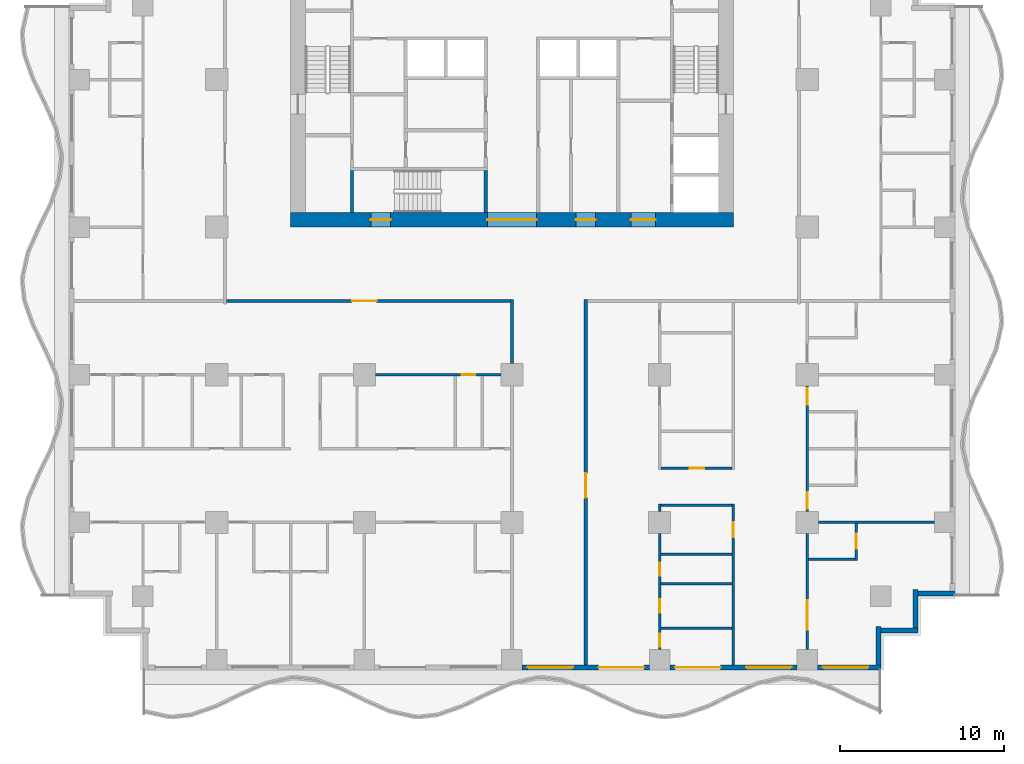
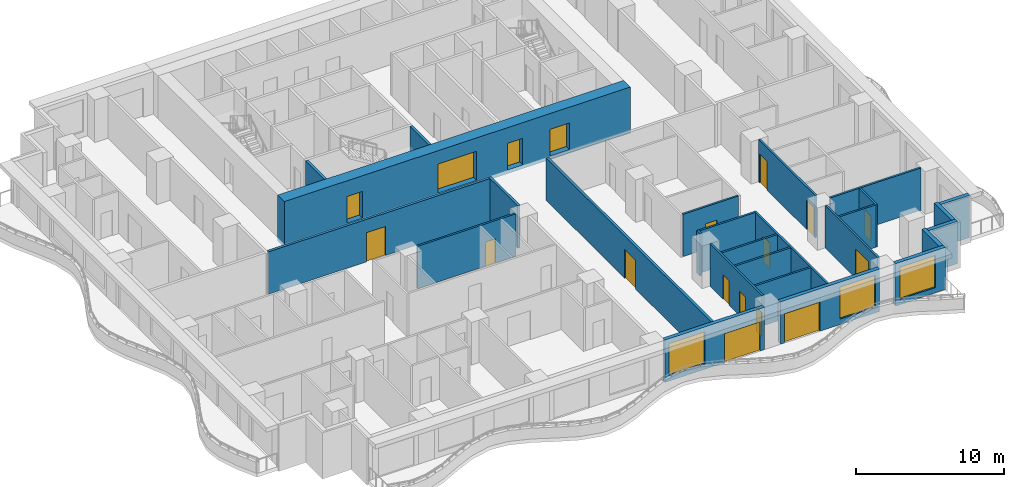
# One storey, part 3 of 14: 27 walls, 18 doors, 3 windows, 21 openings.
"""IFC4 building model written with IfcOpenShell, lengths in metres."""

from ifc_helpers import new_model, si_unit, direction, frame, frame_2d, origin, place, context, subcontext, project, spatial, rectangle, extrude, material, layer, layer_set, type_object, element, fill, save


model = new_model("IFC4")

# Units and contexts
model_context = context("Model", 3, precision=1e-05, world=origin(), true_north=direction((0.0, 1.0)))
body_context = subcontext(model_context, "Body", "Model", "MODEL_VIEW")
ifc_project = project(units=[si_unit("LENGTHUNIT", "METRE"), si_unit("AREAUNIT", "SQUARE_METRE"), si_unit("VOLUMEUNIT", "CUBIC_METRE"), si_unit("PLANEANGLEUNIT", "RADIAN"), si_unit("MASSUNIT", "GRAM", prefix="KILO")], contexts=[model_context])

# Site, building, storey
site_placement = place(None, origin())
site = spatial("IfcSite", under=ifc_project, at=site_placement, CompositionType="ELEMENT")
building_placement = place(site_placement, origin())
building = spatial("IfcBuilding", under=site, at=building_placement, Name="Orbiselva Terraces", CompositionType="ELEMENT")
storey_placement = place(building_placement, frame((0.0, 0.0, 111.2)))
storey = spatial("IfcBuildingStorey", under=building, at=storey_placement, Name="L28", CompositionType="ELEMENT", Elevation=111.2)

# Wall, openings, doors
ifc_material_1 = material(Name="Concrete C80/95", Category="concrete")
ifc_layer_1 = layer(ifc_material_1, 0.9)
ifc_layer_set_1 = layer_set([ifc_layer_1], Name="Concrete C80/95")
wall_type_1 = type_object("IfcWallType", Name="CORE WALL 900", PredefinedType="SHEAR", material=ifc_layer_set_1)
wall_1_placement = place(storey_placement, frame((-13.5, 4.95, -0.3), z_axis=(0.0, 0.0, 1.0), x_axis=(1.0, 0.0, 0.0)))
wall_1 = element("IfcWall", 1, at=wall_1_placement, inside=storey, type_object=wall_type_1, Name="Core wall L28 south", PredefinedType="SHEAR", context=body_context, shape_type="SweptSolid", body=[
    extrude(rectangle(XDim=27.0, YDim=0.9, at=frame_2d((13.5, 0.0))), origin(), (0.0, 0.0, 1.0), 3.8),
])
opening_1_placement = place(wall_1_placement, frame((12.0, 0.0, 0.3)))
opening_1 = element("IfcOpeningElement", 2, at=opening_1_placement, cuts=wall_1, Name="Opening DL3000", PredefinedType="OPENING", context=body_context, shape_type="SweptSolid", body=[
    extrude(rectangle(XDim=3.0, YDim=2.4, at=frame_2d((1.5, 1.2))), frame((0.0, 0.46, 0.0), z_axis=(0.0, -1.0, 0.0), x_axis=(1.0, 0.0, 0.0)), (0.0, 0.0, 1.0), 0.92),
])
opening_2_placement = place(wall_1_placement, frame((4.9, 0.0, 0.3)))
opening_2 = element("IfcOpeningElement", 3, at=opening_2_placement, cuts=wall_1, Name="Opening DS1200", PredefinedType="OPENING", context=body_context, shape_type="SweptSolid", body=[
    extrude(rectangle(XDim=1.2, YDim=2.2, at=frame_2d((0.6, 1.1))), frame((0.0, 0.46, 0.0), z_axis=(0.0, -1.0, 0.0), x_axis=(1.0, 0.0, 0.0)), (0.0, 0.0, 1.0), 0.92),
])
opening_3_placement = place(wall_1_placement, frame((20.75, 0.0, 0.3)))
opening_3 = element("IfcOpeningElement", 4, at=opening_3_placement, cuts=wall_1, Name="Opening DF1500", PredefinedType="OPENING", context=body_context, shape_type="SweptSolid", body=[
    extrude(rectangle(XDim=1.5, YDim=2.2, at=frame_2d((0.75, 1.1))), frame((0.0, 0.46, 0.0), z_axis=(0.0, -1.0, 0.0), x_axis=(1.0, 0.0, 0.0)), (0.0, 0.0, 1.0), 0.92),
])
opening_4_placement = place(wall_1_placement, frame((17.4, 0.0, 0.3)))
opening_4 = element("IfcOpeningElement", 5, at=opening_4_placement, cuts=wall_1, Name="Opening DV1200", PredefinedType="OPENING", context=body_context, shape_type="SweptSolid", body=[
    extrude(rectangle(XDim=1.2, YDim=2.2, at=frame_2d((0.6, 1.1))), frame((0.0, 0.46, 0.0), z_axis=(0.0, -1.0, 0.0), x_axis=(1.0, 0.0, 0.0)), (0.0, 0.0, 1.0), 0.92),
])
ifc_material_2 = material(Name="Steel fire door", Category="steel")
door_type_1 = type_object("IfcDoorType", Name="FFL DOOR 1500", OperationType="DOUBLE_DOOR_SINGLE_SWING", PredefinedType="DOOR", material=ifc_material_2)
door_1_placement = place(opening_3_placement, frame((1.5, 0.0, 0.0), z_axis=(0.0, 0.0, 1.0), x_axis=(-1.0, 0.0, 0.0)))
door_1 = element("IfcDoor", 6, at=door_1_placement, inside=storey, type_object=door_type_1, Name="L28 FIRE-FIGHTING LOBBY door", OperationType="DOUBLE_DOOR_SINGLE_SWING", OverallHeight=2.2, OverallWidth=1.5, PredefinedType="DOOR", context=body_context, shape_type="SweptSolid", body=[
    extrude(rectangle(XDim=1.5, YDim=2.2, at=frame_2d((0.75, 1.1))), frame((0.0, 0.025, 0.0), z_axis=(0.0, -1.0, 0.0), x_axis=(1.0, 0.0, 0.0)), (0.0, 0.0, 1.0), 0.05),
])
fill(opening_3, door_1)
door_type_2 = type_object("IfcDoorType", Name="LOBBY DOOR 3000", OperationType="DOUBLE_DOOR_SINGLE_SWING", PredefinedType="DOOR", material=ifc_material_2)
door_2_placement = place(opening_1_placement, frame((3.0, 0.0, 0.0), z_axis=(0.0, 0.0, 1.0), x_axis=(-1.0, 0.0, 0.0)))
door_2 = element("IfcDoor", 7, at=door_2_placement, inside=storey, type_object=door_type_2, Name="L28 LIFT LOBBY door", OperationType="DOUBLE_DOOR_SINGLE_SWING", OverallHeight=2.4, OverallWidth=3.0, PredefinedType="DOOR", context=body_context, shape_type="SweptSolid", body=[
    extrude(rectangle(XDim=3.0, YDim=2.4, at=frame_2d((1.5, 1.2))), frame((0.0, 0.025, 0.0), z_axis=(0.0, -1.0, 0.0), x_axis=(1.0, 0.0, 0.0)), (0.0, 0.0, 1.0), 0.05),
])
fill(opening_1, door_2)
door_type_3 = type_object("IfcDoorType", Name="SERVICE DOOR 1200", OperationType="NOTDEFINED", PredefinedType="DOOR", material=ifc_material_2)
door_3_placement = place(opening_4_placement, frame((1.2, 0.0, 0.0), z_axis=(0.0, 0.0, 1.0), x_axis=(-1.0, 0.0, 0.0)))
door_3 = element("IfcDoor", 8, at=door_3_placement, inside=storey, type_object=door_type_3, Name="L28 SERVICE ROOM door", OperationType="SINGLE_SWING_RIGHT", OverallHeight=2.2, OverallWidth=1.2, PredefinedType="DOOR", context=body_context, shape_type="SweptSolid", body=[
    extrude(rectangle(XDim=1.2, YDim=2.2, at=frame_2d((0.6, 1.1))), frame((0.0, 0.025, 0.0), z_axis=(0.0, -1.0, 0.0), x_axis=(1.0, 0.0, 0.0)), (0.0, 0.0, 1.0), 0.05),
])
fill(opening_4, door_3)
door_type_4 = type_object("IfcDoorType", Name="STAIR DOOR 1200", OperationType="NOTDEFINED", PredefinedType="DOOR", material=ifc_material_2)
door_4_placement = place(opening_2_placement, frame((1.2, 0.0, 0.0), z_axis=(0.0, 0.0, 1.0), x_axis=(-1.0, 0.0, 0.0)))
door_4 = element("IfcDoor", 9, at=door_4_placement, inside=storey, type_object=door_type_4, Name="L28 EXIT STAIR S3 door", OperationType="SINGLE_SWING_LEFT", OverallHeight=2.2, OverallWidth=1.2, PredefinedType="DOOR", context=body_context, shape_type="SweptSolid", body=[
    extrude(rectangle(XDim=1.2, YDim=2.2, at=frame_2d((0.6, 1.1))), frame((0.0, 0.025, 0.0), z_axis=(0.0, -1.0, 0.0), x_axis=(1.0, 0.0, 0.0)), (0.0, 0.0, 1.0), 0.05),
])
fill(opening_2, door_4)

# Walls
ifc_material_3 = material(Name="Concrete C60/75", Category="concrete")
ifc_layer_2 = layer(ifc_material_3, 0.2)
ifc_layer_set_2 = layer_set([ifc_layer_2], Name="Concrete C60/75")
wall_type_2 = type_object("IfcWallType", Name="CORE-WALL-SHEAR-200", PredefinedType="SHEAR", material=ifc_layer_set_2)
for number, where, z_axis, x_axis, name in (
    (10, (-9.75, 5.4, 0.0), (0.0, 0.0, 1.0), (0.0, 1.0, 0.0), "L28 core wall 03"),
    (11, (-1.6, 5.4, 0.0), (0.0, 0.0, 1.0), (0.0, 1.0, 0.0), "L28 core wall 24"),
):
    element("IfcWall", number, at=place(storey_placement, frame(where, z_axis=z_axis, x_axis=x_axis)), inside=storey, type_object=wall_type_2, Name=name, PredefinedType="SHEAR", context=body_context, shape_type="SweptSolid", body=[
        extrude(rectangle(XDim=2.55, YDim=0.2, at=frame_2d((1.275, 0.0))), origin(), (0.0, 0.0, 1.0), 3.5),
    ])

# Wall, openings, door, window
ifc_material_4 = material(Name="Terracotta cladding on masonry backing", Category="masonry")
ifc_layer_3 = layer(ifc_material_4, 0.3)
ifc_layer_set_3 = layer_set([ifc_layer_3], Name="Terracotta cladding on masonry backing")
wall_type_3 = type_object("IfcWallType", Name="ENV-WALL-TERRACOTTA-300", PredefinedType="SOLIDWALL", material=ifc_layer_set_3)
wall_2_placement = place(storey_placement, frame((8.375, -22.35, 0.0), z_axis=(0.0, 0.0, 1.0), x_axis=(-1.0, 0.0, 0.0)))
wall_2 = element("IfcWall", 12, at=wall_2_placement, inside=storey, type_object=wall_type_3, Name="Facade wall L28 S", PredefinedType="SOLIDWALL", context=body_context, shape_type="SweptSolid", body=[
    extrude(rectangle(XDim=7.75, YDim=0.3, at=frame_2d((3.875, 0.0))), origin(), (0.0, 0.0, 1.0), 3.5),
])
opening_5_placement = place(wall_2_placement, frame((4.65, 0.0, 0.45)))
opening_5 = element("IfcOpeningElement", 13, at=opening_5_placement, cuts=wall_2, Name="Opening WN6", PredefinedType="OPENING", context=body_context, shape_type="SweptSolid", body=[
    extrude(rectangle(XDim=2.775, YDim=2.65, at=frame_2d((1.3875, 1.325))), frame((0.0, 0.16, 0.0), z_axis=(0.0, -1.0, 0.0), x_axis=(1.0, 0.0, 0.0)), (0.0, 0.0, 1.0), 0.32),
])
opening_6_placement = place(wall_2_placement, frame((0.325, 0.0, 0.0)))
opening_6 = element("IfcOpeningElement", 14, at=opening_6_placement, cuts=wall_2, Name="Opening Z2-D-E19", PredefinedType="OPENING", context=body_context, shape_type="SweptSolid", body=[
    extrude(rectangle(XDim=2.775, YDim=2.4, at=frame_2d((1.3875, 1.2))), frame((0.0, 0.16, 0.0), z_axis=(0.0, -1.0, 0.0), x_axis=(1.0, 0.0, 0.0)), (0.0, 0.0, 1.0), 0.32),
])
ifc_material_5 = material(Name="Clear low-e glazing in aluminium frame", Category="aluminium")
door_type_5 = type_object("IfcDoorType", Name="BALCONY DOOR 2775 X 2400", OperationType="DOUBLE_DOOR_SLIDING", PredefinedType="DOOR", material=ifc_material_5)
door_5_placement = place(opening_6_placement, origin())
door_5 = element("IfcDoor", 15, at=door_5_placement, inside=storey, type_object=door_type_5, Name="Z2-D-E19", OperationType="SINGLE_SWING_LEFT", OverallHeight=2.4, OverallWidth=2.775, PredefinedType="DOOR", context=body_context, shape_type="SweptSolid", body=[
    extrude(rectangle(XDim=2.775, YDim=2.4, at=frame_2d((1.3875, 1.2))), frame((0.0, 0.025, 0.0), z_axis=(0.0, -1.0, 0.0), x_axis=(1.0, 0.0, 0.0)), (0.0, 0.0, 1.0), 0.05),
])
fill(opening_6, door_5)
window_type = type_object("IfcWindowType", Name="WINDOW 2775 X 2650 S450", PartitioningType="TRIPLE_PANEL_VERTICAL", PredefinedType="WINDOW", material=ifc_material_5)
window_1_placement = place(opening_5_placement, origin())
window_1 = element("IfcWindow", 16, at=window_1_placement, inside=storey, type_object=window_type, Name="Window L28 S", OverallHeight=2.65, OverallWidth=2.775, PartitioningType="SINGLE_PANEL", PredefinedType="WINDOW", context=body_context, shape_type="SweptSolid", body=[
    extrude(rectangle(XDim=2.775, YDim=2.65, at=frame_2d((1.3875, 1.325))), frame((0.0, 0.03, 0.0), z_axis=(0.0, -1.0, 0.0), x_axis=(1.0, 0.0, 0.0)), (0.0, 0.0, 1.0), 0.06),
])
fill(opening_5, window_1)

wall_3_placement = place(storey_placement, frame((17.375, -22.35, 0.0), z_axis=(0.0, 0.0, 1.0), x_axis=(-1.0, 0.0, 0.0)))
wall_3 = element("IfcWall", 17, at=wall_3_placement, inside=storey, type_object=wall_type_3, Name="Facade wall L28 S", PredefinedType="SOLIDWALL", context=body_context, shape_type="SweptSolid", body=[
    extrude(rectangle(XDim=7.75, YDim=0.3, at=frame_2d((3.875, 0.0))), origin(), (0.0, 0.0, 1.0), 3.5),
])
opening_7_placement = place(wall_3_placement, frame((4.65, 0.0, 0.0)))
opening_7 = element("IfcOpeningElement", 18, at=opening_7_placement, cuts=wall_3, Name="Opening Z2-D-E03", PredefinedType="OPENING", context=body_context, shape_type="SweptSolid", body=[
    extrude(rectangle(XDim=2.775, YDim=2.4, at=frame_2d((1.3875, 1.2))), frame((0.0, 0.16, 0.0), z_axis=(0.0, -1.0, 0.0), x_axis=(1.0, 0.0, 0.0)), (0.0, 0.0, 1.0), 0.32),
])
opening_8_placement = place(wall_3_placement, frame((0.325, 0.0, 0.45)))
opening_8 = element("IfcOpeningElement", 19, at=opening_8_placement, cuts=wall_3, Name="Opening WN6", PredefinedType="OPENING", context=body_context, shape_type="SweptSolid", body=[
    extrude(rectangle(XDim=2.775, YDim=2.65, at=frame_2d((1.3875, 1.325))), frame((0.0, 0.16, 0.0), z_axis=(0.0, -1.0, 0.0), x_axis=(1.0, 0.0, 0.0)), (0.0, 0.0, 1.0), 0.32),
])
door_6_placement = place(opening_7_placement, origin())
door_6 = element("IfcDoor", 20, at=door_6_placement, inside=storey, type_object=door_type_5, Name="Z2-D-E03", OperationType="SINGLE_SWING_LEFT", OverallHeight=2.4, OverallWidth=2.775, PredefinedType="DOOR", context=body_context, shape_type="SweptSolid", body=[
    extrude(rectangle(XDim=2.775, YDim=2.4, at=frame_2d((1.3875, 1.2))), frame((0.0, 0.025, 0.0), z_axis=(0.0, -1.0, 0.0), x_axis=(1.0, 0.0, 0.0)), (0.0, 0.0, 1.0), 0.05),
])
fill(opening_7, door_6)
window_2_placement = place(opening_8_placement, origin())
window_2 = element("IfcWindow", 21, at=window_2_placement, inside=storey, type_object=window_type, Name="Window L28 S", OverallHeight=2.65, OverallWidth=2.775, PartitioningType="SINGLE_PANEL", PredefinedType="WINDOW", context=body_context, shape_type="SweptSolid", body=[
    extrude(rectangle(XDim=2.775, YDim=2.65, at=frame_2d((1.3875, 1.325))), frame((0.0, 0.03, 0.0), z_axis=(0.0, -1.0, 0.0), x_axis=(1.0, 0.0, 0.0)), (0.0, 0.0, 1.0), 0.06),
])
fill(opening_8, window_2)

# Wall, opening, window
wall_4_placement = place(storey_placement, frame((22.5, -22.35, 0.0), z_axis=(0.0, 0.0, 1.0), x_axis=(-1.0, 0.0, 0.0)))
wall_4 = element("IfcWall", 22, at=wall_4_placement, inside=storey, type_object=wall_type_3, Name="Facade wall L28 S", PredefinedType="SOLIDWALL", context=body_context, shape_type="SweptSolid", body=[
    extrude(rectangle(XDim=3.875, YDim=0.3, at=frame_2d((1.9375, 0.0))), origin(), (0.0, 0.0, 1.0), 3.5),
])
opening_9_placement = place(wall_4_placement, frame((0.775, 0.0, 0.45)))
opening_9 = element("IfcOpeningElement", 23, at=opening_9_placement, cuts=wall_4, Name="Opening WN6", PredefinedType="OPENING", context=body_context, shape_type="SweptSolid", body=[
    extrude(rectangle(XDim=2.775, YDim=2.65, at=frame_2d((1.3875, 1.325))), frame((0.0, 0.16, 0.0), z_axis=(0.0, -1.0, 0.0), x_axis=(1.0, 0.0, 0.0)), (0.0, 0.0, 1.0), 0.32),
])
window_3_placement = place(opening_9_placement, origin())
window_3 = element("IfcWindow", 24, at=window_3_placement, inside=storey, type_object=window_type, Name="Window L28 S", OverallHeight=2.65, OverallWidth=2.775, PartitioningType="SINGLE_PANEL", PredefinedType="WINDOW", context=body_context, shape_type="SweptSolid", body=[
    extrude(rectangle(XDim=2.775, YDim=2.65, at=frame_2d((1.3875, 1.325))), frame((0.0, 0.03, 0.0), z_axis=(0.0, -1.0, 0.0), x_axis=(1.0, 0.0, 0.0)), (0.0, 0.0, 1.0), 0.06),
])
fill(opening_9, window_3)

# Walls
wall_5_placement = place(storey_placement, frame((22.35, -19.85, 0.0), z_axis=(0.0, 0.0, 1.0), x_axis=(0.0, -1.0, 0.0)))
element("IfcWall", 25, at=wall_5_placement, inside=storey, type_object=wall_type_3, Name="Facade wall L28 STEP", PredefinedType="SOLIDWALL", context=body_context, shape_type="SweptSolid", body=[
    extrude(rectangle(XDim=2.35, YDim=0.3, at=frame_2d((1.175, 0.0))), origin(), (0.0, 0.0, 1.0), 3.5),
])
wall_6_placement = place(storey_placement, frame((24.75, -20.1, 0.0), z_axis=(0.0, 0.0, 1.0), x_axis=(-1.0, 0.0, 0.0)))
element("IfcWall", 26, at=wall_6_placement, inside=storey, type_object=wall_type_3, Name="Facade wall L28 STEP", PredefinedType="SOLIDWALL", context=body_context, shape_type="SweptSolid", body=[
    extrude(rectangle(XDim=2.25, YDim=0.3, at=frame_2d((1.125, 0.0))), origin(), (0.0, 0.0, 1.0), 3.5),
])
wall_7_placement = place(storey_placement, frame((24.6, -17.6, 0.0), z_axis=(0.0, 0.0, 1.0), x_axis=(0.0, -1.0, 0.0)))
element("IfcWall", 27, at=wall_7_placement, inside=storey, type_object=wall_type_3, Name="Facade wall L28 STEP", PredefinedType="SOLIDWALL", context=body_context, shape_type="SweptSolid", body=[
    extrude(rectangle(XDim=2.35, YDim=0.3, at=frame_2d((1.175, 0.0))), origin(), (0.0, 0.0, 1.0), 3.5),
])
wall_8_placement = place(storey_placement, frame((27.0, -17.85, 0.0), z_axis=(0.0, 0.0, 1.0), x_axis=(-1.0, 0.0, 0.0)))
element("IfcWall", 28, at=wall_8_placement, inside=storey, type_object=wall_type_3, Name="Facade wall L28 STEP", PredefinedType="SOLIDWALL", context=body_context, shape_type="SweptSolid", body=[
    extrude(rectangle(XDim=2.25, YDim=0.3, at=frame_2d((1.125, 0.0))), origin(), (0.0, 0.0, 1.0), 3.5),
])

# Wall, opening, door
ifc_material_6 = material(Name="Plasterboard on steel stud partition", Category="steel")
ifc_layer_4 = layer(ifc_material_6, 0.2)
ifc_layer_set_4 = layer_set([ifc_layer_4], Name="Plasterboard on steel stud partition")
wall_type_4 = type_object("IfcWallType", Name="UNIT-ENTRANCE-WALL-200", PredefinedType="PARTITIONING", material=ifc_layer_set_4)
wall_9_placement = place(storey_placement, frame((-0.1, 0.0, 0.0), z_axis=(0.0, 0.0, 1.0), x_axis=(-1.0, 0.0, 0.0)))
wall_9 = element("IfcWall", 29, at=wall_9_placement, inside=storey, type_object=wall_type_4, Name="PARTITION L28-029", PredefinedType="PARTITIONING", context=body_context, shape_type="SweptSolid", body=[
    extrude(rectangle(XDim=17.3, YDim=0.2, at=frame_2d((8.65, 0.0))), origin(), (0.0, 0.0, 1.0), 3.5),
])
opening_10_placement = place(wall_9_placement, frame((8.15, 0.0, 0.0)))
opening_10 = element("IfcOpeningElement", 30, at=opening_10_placement, cuts=wall_9, Name="Opening Z2-D-15", PredefinedType="OPENING", context=body_context, shape_type="SweptSolid", body=[
    extrude(rectangle(XDim=1.5, YDim=2.4, at=frame_2d((0.75, 1.2))), frame((0.0, 0.11, 0.0), z_axis=(0.0, -1.0, 0.0), x_axis=(1.0, 0.0, 0.0)), (0.0, 0.0, 1.0), 0.22),
])
ifc_material_7 = material(Name="Painted timber door leaf", Category="wood")
door_type_6 = type_object("IfcDoorType", Name="ENTRANCE DOUBLE DOOR 1500", OperationType="NOTDEFINED", PredefinedType="DOOR", material=ifc_material_7)
door_7_placement = place(opening_10_placement, origin())
door_7 = element("IfcDoor", 31, at=door_7_placement, inside=storey, type_object=door_type_6, Name="Z2-D-15", OperationType="DOUBLE_DOOR_SINGLE_SWING", OverallHeight=2.4, OverallWidth=1.5, PredefinedType="DOOR", context=body_context, shape_type="SweptSolid", body=[
    extrude(rectangle(XDim=1.5, YDim=2.4, at=frame_2d((0.75, 1.2))), frame((0.0, 0.025, 0.0), z_axis=(0.0, -1.0, 0.0), x_axis=(1.0, 0.0, 0.0)), (0.0, 0.0, 1.0), 0.05),
])
fill(opening_10, door_7)

# Wall
wall_10_placement = place(storey_placement, frame((0.0, -3.825, 0.0), z_axis=(0.0, 0.0, 1.0), x_axis=(0.0, 1.0, 0.0)))
element("IfcWall", 32, at=wall_10_placement, inside=storey, type_object=wall_type_4, Name="PARTITION L28-071", PredefinedType="PARTITIONING", context=body_context, shape_type="SweptSolid", body=[
    extrude(rectangle(XDim=3.925, YDim=0.2, at=frame_2d((1.9625, 0.0))), origin(), (0.0, 0.0, 1.0), 3.5),
])

# Wall, opening, door
wall_11_placement = place(storey_placement, frame((4.5, 0.1, 0.0), z_axis=(0.0, 0.0, 1.0), x_axis=(0.0, -1.0, 0.0)))
wall_11 = element("IfcWall", 33, at=wall_11_placement, inside=storey, type_object=wall_type_4, Name="PARTITION L28-072", PredefinedType="PARTITIONING", context=body_context, shape_type="SweptSolid", body=[
    extrude(rectangle(XDim=22.3, YDim=0.2, at=frame_2d((11.15, 0.0))), origin(), (0.0, 0.0, 1.0), 3.5),
])
opening_11_placement = place(wall_11_placement, frame((10.6, 0.0, 0.0)))
opening_11 = element("IfcOpeningElement", 34, at=opening_11_placement, cuts=wall_11, Name="Opening Z2-D-34", PredefinedType="OPENING", context=body_context, shape_type="SweptSolid", body=[
    extrude(rectangle(XDim=1.5, YDim=2.4, at=frame_2d((0.75, 1.2))), frame((0.0, 0.11, 0.0), z_axis=(0.0, -1.0, 0.0), x_axis=(1.0, 0.0, 0.0)), (0.0, 0.0, 1.0), 0.22),
])
door_8_placement = place(opening_11_placement, origin())
door_8 = element("IfcDoor", 35, at=door_8_placement, inside=storey, type_object=door_type_6, Name="Z2-D-34", OperationType="DOUBLE_DOOR_SINGLE_SWING", OverallHeight=2.4, OverallWidth=1.5, PredefinedType="DOOR", context=body_context, shape_type="SweptSolid", body=[
    extrude(rectangle(XDim=1.5, YDim=2.4, at=frame_2d((0.75, 1.2))), frame((0.0, 0.025, 0.0), z_axis=(0.0, -1.0, 0.0), x_axis=(1.0, 0.0, 0.0)), (0.0, 0.0, 1.0), 0.05),
])
fill(opening_11, door_8)

# Walls
ifc_layer_5 = layer(ifc_material_6, 0.15)
ifc_layer_set_5 = layer_set([ifc_layer_5], Name="Plasterboard on steel stud partition")
wall_type_5 = type_object("IfcWallType", Name="UNIT-PARTITION-150", PredefinedType="PARTITIONING", material=ifc_layer_set_5)
for number, where, z_axis, x_axis, name in (
    (36, (9.075, -19.95, 0.0), (0.0, 0.0, 1.0), (1.0, 0.0, 0.0), "PARTITION L28-001"),
    (37, (9.075, -17.25, 0.0), (0.0, 0.0, 1.0), (1.0, 0.0, 0.0), "PARTITION L28-002"),
):
    element("IfcWall", number, at=place(storey_placement, frame(where, z_axis=z_axis, x_axis=x_axis)), inside=storey, type_object=wall_type_5, Name=name, PredefinedType="PARTITIONING", context=body_context, shape_type="SweptSolid", body=[
        extrude(rectangle(XDim=4.35, YDim=0.15, at=frame_2d((2.175, 0.0))), origin(), (0.0, 0.0, 1.0), 3.5),
    ])
wall_12_placement = place(storey_placement, frame((18.075, -15.75, 0.0), z_axis=(0.0, 0.0, 1.0), x_axis=(1.0, 0.0, 0.0)))
element("IfcWall", 38, at=wall_12_placement, inside=storey, type_object=wall_type_5, Name="PARTITION L28-007", PredefinedType="PARTITIONING", context=body_context, shape_type="SweptSolid", body=[
    extrude(rectangle(XDim=2.85, YDim=0.15, at=frame_2d((1.425, 0.0))), origin(), (0.0, 0.0, 1.0), 3.5),
])
wall_13_placement = place(storey_placement, frame((9.075, -15.45, 0.0), z_axis=(0.0, 0.0, 1.0), x_axis=(1.0, 0.0, 0.0)))
element("IfcWall", 39, at=wall_13_placement, inside=storey, type_object=wall_type_5, Name="PARTITION L28-008", PredefinedType="PARTITIONING", context=body_context, shape_type="SweptSolid", body=[
    extrude(rectangle(XDim=4.35, YDim=0.15, at=frame_2d((2.175, 0.0))), origin(), (0.0, 0.0, 1.0), 3.5),
])
wall_14_placement = place(storey_placement, frame((18.675, -13.5, 0.0), z_axis=(0.0, 0.0, 1.0), x_axis=(1.0, 0.0, 0.0)))
element("IfcWall", 40, at=wall_14_placement, inside=storey, type_object=wall_type_5, Name="PARTITION L28-012", PredefinedType="PARTITIONING", context=body_context, shape_type="SweptSolid", body=[
    extrude(rectangle(XDim=7.075, YDim=0.15, at=frame_2d((3.5375, 0.0))), origin(), (0.0, 0.0, 1.0), 3.5),
])
wall_15_placement = place(storey_placement, frame((9.075, -12.45, 0.0), z_axis=(0.0, 0.0, 1.0), x_axis=(1.0, 0.0, 0.0)))
element("IfcWall", 41, at=wall_15_placement, inside=storey, type_object=wall_type_5, Name="PARTITION L28-013", PredefinedType="PARTITIONING", context=body_context, shape_type="SweptSolid", body=[
    extrude(rectangle(XDim=4.35, YDim=0.15, at=frame_2d((2.175, 0.0))), origin(), (0.0, 0.0, 1.0), 3.5),
])

# Wall, opening, door
wall_16_placement = place(storey_placement, frame((9.075, -10.2, 0.0), z_axis=(0.0, 0.0, 1.0), x_axis=(1.0, 0.0, 0.0)))
wall_16 = element("IfcWall", 42, at=wall_16_placement, inside=storey, type_object=wall_type_5, Name="PARTITION L28-015", PredefinedType="PARTITIONING", context=body_context, shape_type="SweptSolid", body=[
    extrude(rectangle(XDim=4.35, YDim=0.15, at=frame_2d((2.175, 0.0))), origin(), (0.0, 0.0, 1.0), 3.5),
])
opening_12_placement = place(wall_16_placement, frame((1.75, 0.0, 0.0)))
opening_12 = element("IfcOpeningElement", 43, at=opening_12_placement, cuts=wall_16, Name="Opening Z2-D-37", PredefinedType="OPENING", context=body_context, shape_type="SweptSolid", body=[
    extrude(rectangle(XDim=0.9, YDim=2.1, at=frame_2d((0.45, 1.05))), frame((0.0, 0.085, 0.0), z_axis=(0.0, -1.0, 0.0), x_axis=(1.0, 0.0, 0.0)), (0.0, 0.0, 1.0), 0.17),
])
door_type_7 = type_object("IfcDoorType", Name="BATH DOOR 900", OperationType="NOTDEFINED", PredefinedType="DOOR", material=ifc_material_7)
door_9_placement = place(opening_12_placement, origin())
door_9 = element("IfcDoor", 44, at=door_9_placement, inside=storey, type_object=door_type_7, Name="Z2-D-37", OperationType="SINGLE_SWING_RIGHT", OverallHeight=2.1, OverallWidth=0.9, PredefinedType="DOOR", context=body_context, shape_type="SweptSolid", body=[
    extrude(rectangle(XDim=0.9, YDim=2.1, at=frame_2d((0.45, 1.05))), frame((0.0, 0.025, 0.0), z_axis=(0.0, -1.0, 0.0), x_axis=(1.0, 0.0, 0.0)), (0.0, 0.0, 1.0), 0.05),
])
fill(opening_12, door_9)

wall_17_placement = place(storey_placement, frame((-0.675, -4.5, 0.0), z_axis=(0.0, 0.0, 1.0), x_axis=(-1.0, 0.0, 0.0)))
wall_17 = element("IfcWall", 45, at=wall_17_placement, inside=storey, type_object=wall_type_5, Name="PARTITION L28-025", PredefinedType="PARTITIONING", context=body_context, shape_type="SweptSolid", body=[
    extrude(rectangle(XDim=7.65, YDim=0.15, at=frame_2d((3.825, 0.0))), origin(), (0.0, 0.0, 1.0), 3.5),
])
opening_13_placement = place(wall_17_placement, frame((1.575, 0.0, 0.0)))
opening_13 = element("IfcOpeningElement", 46, at=opening_13_placement, cuts=wall_17, Name="Opening Z2-D-17", PredefinedType="OPENING", context=body_context, shape_type="SweptSolid", body=[
    extrude(rectangle(XDim=0.8, YDim=2.0, at=frame_2d((0.4, 1.0))), frame((0.0, 0.085, 0.0), z_axis=(0.0, -1.0, 0.0), x_axis=(1.0, 0.0, 0.0)), (0.0, 0.0, 1.0), 0.17),
])
door_type_8 = type_object("IfcDoorType", Name="STORE DOOR 800", OperationType="NOTDEFINED", PredefinedType="DOOR", material=ifc_material_7)
door_10_placement = place(opening_13_placement, origin())
door_10 = element("IfcDoor", 47, at=door_10_placement, inside=storey, type_object=door_type_8, Name="Z2-D-17", OperationType="SINGLE_SWING_LEFT", OverallHeight=2.0, OverallWidth=0.8, PredefinedType="DOOR", context=body_context, shape_type="SweptSolid", body=[
    extrude(rectangle(XDim=0.8, YDim=2.0, at=frame_2d((0.4, 1.0))), frame((0.0, 0.025, 0.0), z_axis=(0.0, -1.0, 0.0), x_axis=(1.0, 0.0, 0.0)), (0.0, 0.0, 1.0), 0.05),
])
fill(opening_13, door_10)

# Wall, openings, doors
wall_18_placement = place(storey_placement, frame((9.0, -14.175, 0.0), z_axis=(0.0, 0.0, 1.0), x_axis=(0.0, -1.0, 0.0)))
wall_18 = element("IfcWall", 48, at=wall_18_placement, inside=storey, type_object=wall_type_5, Name="PARTITION L28-073", PredefinedType="PARTITIONING", context=body_context, shape_type="SweptSolid", body=[
    extrude(rectangle(XDim=7.075, YDim=0.15, at=frame_2d((3.5375, 0.0))), origin(), (0.0, 0.0, 1.0), 3.5),
])
opening_14_placement = place(wall_18_placement, frame((1.775, 0.0, 0.0)))
opening_14 = element("IfcOpeningElement", 49, at=opening_14_placement, cuts=wall_18, Name="Opening Z2-D-39", PredefinedType="OPENING", context=body_context, shape_type="SweptSolid", body=[
    extrude(rectangle(XDim=0.8, YDim=2.0, at=frame_2d((0.4, 1.0))), frame((0.0, 0.085, 0.0), z_axis=(0.0, -1.0, 0.0), x_axis=(1.0, 0.0, 0.0)), (0.0, 0.0, 1.0), 0.17),
])
opening_15_placement = place(wall_18_placement, frame((4.025, 0.0, 0.0)))
opening_15 = element("IfcOpeningElement", 50, at=opening_15_placement, cuts=wall_18, Name="Opening Z2-D-40", PredefinedType="OPENING", context=body_context, shape_type="SweptSolid", body=[
    extrude(rectangle(XDim=0.8, YDim=2.0, at=frame_2d((0.4, 1.0))), frame((0.0, 0.085, 0.0), z_axis=(0.0, -1.0, 0.0), x_axis=(1.0, 0.0, 0.0)), (0.0, 0.0, 1.0), 0.17),
])
opening_16_placement = place(wall_18_placement, frame((6.125, 0.0, 0.0)))
opening_16 = element("IfcOpeningElement", 51, at=opening_16_placement, cuts=wall_18, Name="Opening Z2-D-41", PredefinedType="OPENING", context=body_context, shape_type="SweptSolid", body=[
    extrude(rectangle(XDim=0.8, YDim=2.0, at=frame_2d((0.4, 1.0))), frame((0.0, 0.085, 0.0), z_axis=(0.0, -1.0, 0.0), x_axis=(1.0, 0.0, 0.0)), (0.0, 0.0, 1.0), 0.17),
])
door_11_placement = place(opening_14_placement, origin())
door_11 = element("IfcDoor", 52, at=door_11_placement, inside=storey, type_object=door_type_8, Name="Z2-D-39", OperationType="SINGLE_SWING_LEFT", OverallHeight=2.0, OverallWidth=0.8, PredefinedType="DOOR", context=body_context, shape_type="SweptSolid", body=[
    extrude(rectangle(XDim=0.8, YDim=2.0, at=frame_2d((0.4, 1.0))), frame((0.0, 0.025, 0.0), z_axis=(0.0, -1.0, 0.0), x_axis=(1.0, 0.0, 0.0)), (0.0, 0.0, 1.0), 0.05),
])
fill(opening_14, door_11)
door_12_placement = place(opening_15_placement, origin())
door_12 = element("IfcDoor", 53, at=door_12_placement, inside=storey, type_object=door_type_8, Name="Z2-D-40", OperationType="SINGLE_SWING_RIGHT", OverallHeight=2.0, OverallWidth=0.8, PredefinedType="DOOR", context=body_context, shape_type="SweptSolid", body=[
    extrude(rectangle(XDim=0.8, YDim=2.0, at=frame_2d((0.4, 1.0))), frame((0.0, 0.025, 0.0), z_axis=(0.0, -1.0, 0.0), x_axis=(1.0, 0.0, 0.0)), (0.0, 0.0, 1.0), 0.05),
])
fill(opening_15, door_12)
door_13_placement = place(opening_16_placement, origin())
door_13 = element("IfcDoor", 54, at=door_13_placement, inside=storey, type_object=door_type_8, Name="Z2-D-41", OperationType="SINGLE_SWING_RIGHT", OverallHeight=2.0, OverallWidth=0.8, PredefinedType="DOOR", context=body_context, shape_type="SweptSolid", body=[
    extrude(rectangle(XDim=0.8, YDim=2.0, at=frame_2d((0.4, 1.0))), frame((0.0, 0.025, 0.0), z_axis=(0.0, -1.0, 0.0), x_axis=(1.0, 0.0, 0.0)), (0.0, 0.0, 1.0), 0.05),
])
fill(opening_16, door_13)

# Wall
wall_19_placement = place(storey_placement, frame((9.0, -12.825, 0.0), z_axis=(0.0, 0.0, 1.0), x_axis=(0.0, 1.0, 0.0)))
element("IfcWall", 55, at=wall_19_placement, inside=storey, type_object=wall_type_5, Name="PARTITION L28-074", PredefinedType="PARTITIONING", context=body_context, shape_type="SweptSolid", body=[
    extrude(rectangle(XDim=0.45, YDim=0.15, at=frame_2d((0.225, 0.0))), origin(), (0.0, 0.0, 1.0), 3.5),
])

# Wall, opening, door
wall_20_placement = place(storey_placement, frame((13.5, -22.2, 0.0), z_axis=(0.0, 0.0, 1.0), x_axis=(0.0, 1.0, 0.0)))
wall_20 = element("IfcWall", 56, at=wall_20_placement, inside=storey, type_object=wall_type_5, Name="PARTITION L28-077", PredefinedType="PARTITIONING", context=body_context, shape_type="SweptSolid", body=[
    extrude(rectangle(XDim=9.825, YDim=0.15, at=frame_2d((4.9125, 0.0))), origin(), (0.0, 0.0, 1.0), 3.5),
])
opening_17_placement = place(wall_20_placement, frame((7.8, 0.0, 0.0)))
opening_17 = element("IfcOpeningElement", 57, at=opening_17_placement, cuts=wall_20, Name="Opening Z2-D-38", PredefinedType="OPENING", context=body_context, shape_type="SweptSolid", body=[
    extrude(rectangle(XDim=0.9, YDim=2.1, at=frame_2d((0.45, 1.05))), frame((0.0, 0.085, 0.0), z_axis=(0.0, -1.0, 0.0), x_axis=(1.0, 0.0, 0.0)), (0.0, 0.0, 1.0), 0.17),
])
door_type_9 = type_object("IfcDoorType", Name="SERVICE DOOR 900", OperationType="NOTDEFINED", PredefinedType="DOOR", material=ifc_material_7)
door_14_placement = place(opening_17_placement, origin())
door_14 = element("IfcDoor", 58, at=door_14_placement, inside=storey, type_object=door_type_9, Name="Z2-D-38", OperationType="SINGLE_SWING_RIGHT", OverallHeight=2.1, OverallWidth=0.9, PredefinedType="DOOR", context=body_context, shape_type="SweptSolid", body=[
    extrude(rectangle(XDim=0.9, YDim=2.1, at=frame_2d((0.45, 1.05))), frame((0.0, 0.025, 0.0), z_axis=(0.0, -1.0, 0.0), x_axis=(1.0, 0.0, 0.0)), (0.0, 0.0, 1.0), 0.05),
])
fill(opening_17, door_14)

wall_21_placement = place(storey_placement, frame((18.0, -14.175, 0.0), z_axis=(0.0, 0.0, 1.0), x_axis=(0.0, -1.0, 0.0)))
wall_21 = element("IfcWall", 59, at=wall_21_placement, inside=storey, type_object=wall_type_5, Name="PARTITION L28-082", PredefinedType="PARTITIONING", context=body_context, shape_type="SweptSolid", body=[
    extrude(rectangle(XDim=7.075, YDim=0.15, at=frame_2d((3.5375, 0.0))), origin(), (0.0, 0.0, 1.0), 3.5),
])
opening_18_placement = place(wall_21_placement, frame((4.075, 0.0, 0.0)))
opening_18 = element("IfcOpeningElement", 60, at=opening_18_placement, cuts=wall_21, Name="Opening Z2-D-48", PredefinedType="OPENING", context=body_context, shape_type="SweptSolid", body=[
    extrude(rectangle(XDim=1.8, YDim=2.4, at=frame_2d((0.9, 1.2))), frame((0.0, 0.085, 0.0), z_axis=(0.0, -1.0, 0.0), x_axis=(1.0, 0.0, 0.0)), (0.0, 0.0, 1.0), 0.17),
])
door_type_10 = type_object("IfcDoorType", Name="DOUBLE DOOR 1800", OperationType="NOTDEFINED", PredefinedType="DOOR", material=ifc_material_7)
door_15_placement = place(opening_18_placement, origin())
door_15 = element("IfcDoor", 61, at=door_15_placement, inside=storey, type_object=door_type_10, Name="Z2-D-48", OperationType="DOUBLE_DOOR_SINGLE_SWING", OverallHeight=2.4, OverallWidth=1.8, PredefinedType="DOOR", context=body_context, shape_type="SweptSolid", body=[
    extrude(rectangle(XDim=1.8, YDim=2.4, at=frame_2d((0.9, 1.2))), frame((0.0, 0.025, 0.0), z_axis=(0.0, -1.0, 0.0), x_axis=(1.0, 0.0, 0.0)), (0.0, 0.0, 1.0), 0.05),
])
fill(opening_18, door_15)

# Wall, openings, doors
wall_22_placement = place(storey_placement, frame((18.0, -5.175, 0.0), z_axis=(0.0, 0.0, 1.0), x_axis=(0.0, -1.0, 0.0)))
wall_22 = element("IfcWall", 62, at=wall_22_placement, inside=storey, type_object=wall_type_5, Name="PARTITION L28-083", PredefinedType="PARTITIONING", context=body_context, shape_type="SweptSolid", body=[
    extrude(rectangle(XDim=7.65, YDim=0.15, at=frame_2d((3.825, 0.0))), origin(), (0.0, 0.0, 1.0), 3.5),
])
opening_19_placement = place(wall_22_placement, frame((0.15, 0.0, 0.0)))
opening_19 = element("IfcOpeningElement", 63, at=opening_19_placement, cuts=wall_22, Name="Opening Z2-D-44", PredefinedType="OPENING", context=body_context, shape_type="SweptSolid", body=[
    extrude(rectangle(XDim=1.0, YDim=2.4, at=frame_2d((0.5, 1.2))), frame((0.0, 0.085, 0.0), z_axis=(0.0, -1.0, 0.0), x_axis=(1.0, 0.0, 0.0)), (0.0, 0.0, 1.0), 0.17),
])
opening_20_placement = place(wall_22_placement, frame((6.5, 0.0, 0.0)))
opening_20 = element("IfcOpeningElement", 64, at=opening_20_placement, cuts=wall_22, Name="Opening Z2-D-46", PredefinedType="OPENING", context=body_context, shape_type="SweptSolid", body=[
    extrude(rectangle(XDim=1.0, YDim=2.4, at=frame_2d((0.5, 1.2))), frame((0.0, 0.085, 0.0), z_axis=(0.0, -1.0, 0.0), x_axis=(1.0, 0.0, 0.0)), (0.0, 0.0, 1.0), 0.17),
])
door_type_11 = type_object("IfcDoorType", Name="ROOM DOOR 1000", OperationType="NOTDEFINED", PredefinedType="DOOR", material=ifc_material_7)
door_16_placement = place(opening_19_placement, origin())
door_16 = element("IfcDoor", 65, at=door_16_placement, inside=storey, type_object=door_type_11, Name="Z2-D-44", OperationType="SINGLE_SWING_LEFT", OverallHeight=2.4, OverallWidth=1.0, PredefinedType="DOOR", context=body_context, shape_type="SweptSolid", body=[
    extrude(rectangle(XDim=1.0, YDim=2.4, at=frame_2d((0.5, 1.2))), frame((0.0, 0.025, 0.0), z_axis=(0.0, -1.0, 0.0), x_axis=(1.0, 0.0, 0.0)), (0.0, 0.0, 1.0), 0.05),
])
fill(opening_19, door_16)
door_17_placement = place(opening_20_placement, origin())
door_17 = element("IfcDoor", 66, at=door_17_placement, inside=storey, type_object=door_type_11, Name="Z2-D-46", OperationType="SINGLE_SWING_RIGHT", OverallHeight=2.4, OverallWidth=1.0, PredefinedType="DOOR", context=body_context, shape_type="SweptSolid", body=[
    extrude(rectangle(XDim=1.0, YDim=2.4, at=frame_2d((0.5, 1.2))), frame((0.0, 0.025, 0.0), z_axis=(0.0, -1.0, 0.0), x_axis=(1.0, 0.0, 0.0)), (0.0, 0.0, 1.0), 0.05),
])
fill(opening_20, door_17)

# Wall, opening, door
wall_23_placement = place(storey_placement, frame((21.0, -15.825, 0.0), z_axis=(0.0, 0.0, 1.0), x_axis=(0.0, 1.0, 0.0)))
wall_23 = element("IfcWall", 67, at=wall_23_placement, inside=storey, type_object=wall_type_5, Name="PARTITION L28-085", PredefinedType="PARTITIONING", context=body_context, shape_type="SweptSolid", body=[
    extrude(rectangle(XDim=2.25, YDim=0.15, at=frame_2d((1.125, 0.0))), origin(), (0.0, 0.0, 1.0), 3.5),
])
opening_21_placement = place(wall_23_placement, frame((0.725, 0.0, 0.0)))
opening_21 = element("IfcOpeningElement", 68, at=opening_21_placement, cuts=wall_23, Name="Opening Z2-D-49", PredefinedType="OPENING", context=body_context, shape_type="SweptSolid", body=[
    extrude(rectangle(XDim=0.9, YDim=2.1, at=frame_2d((0.45, 1.05))), frame((0.0, 0.085, 0.0), z_axis=(0.0, -1.0, 0.0), x_axis=(1.0, 0.0, 0.0)), (0.0, 0.0, 1.0), 0.17),
])
door_18_placement = place(opening_21_placement, origin())
door_18 = element("IfcDoor", 69, at=door_18_placement, inside=storey, type_object=door_type_7, Name="Z2-D-49", OperationType="SINGLE_SWING_RIGHT", OverallHeight=2.1, OverallWidth=0.9, PredefinedType="DOOR", context=body_context, shape_type="SweptSolid", body=[
    extrude(rectangle(XDim=0.9, YDim=2.1, at=frame_2d((0.45, 1.05))), frame((0.0, 0.025, 0.0), z_axis=(0.0, -1.0, 0.0), x_axis=(1.0, 0.0, 0.0)), (0.0, 0.0, 1.0), 0.05),
])
fill(opening_21, door_18)

save(model, "model.ifc")
